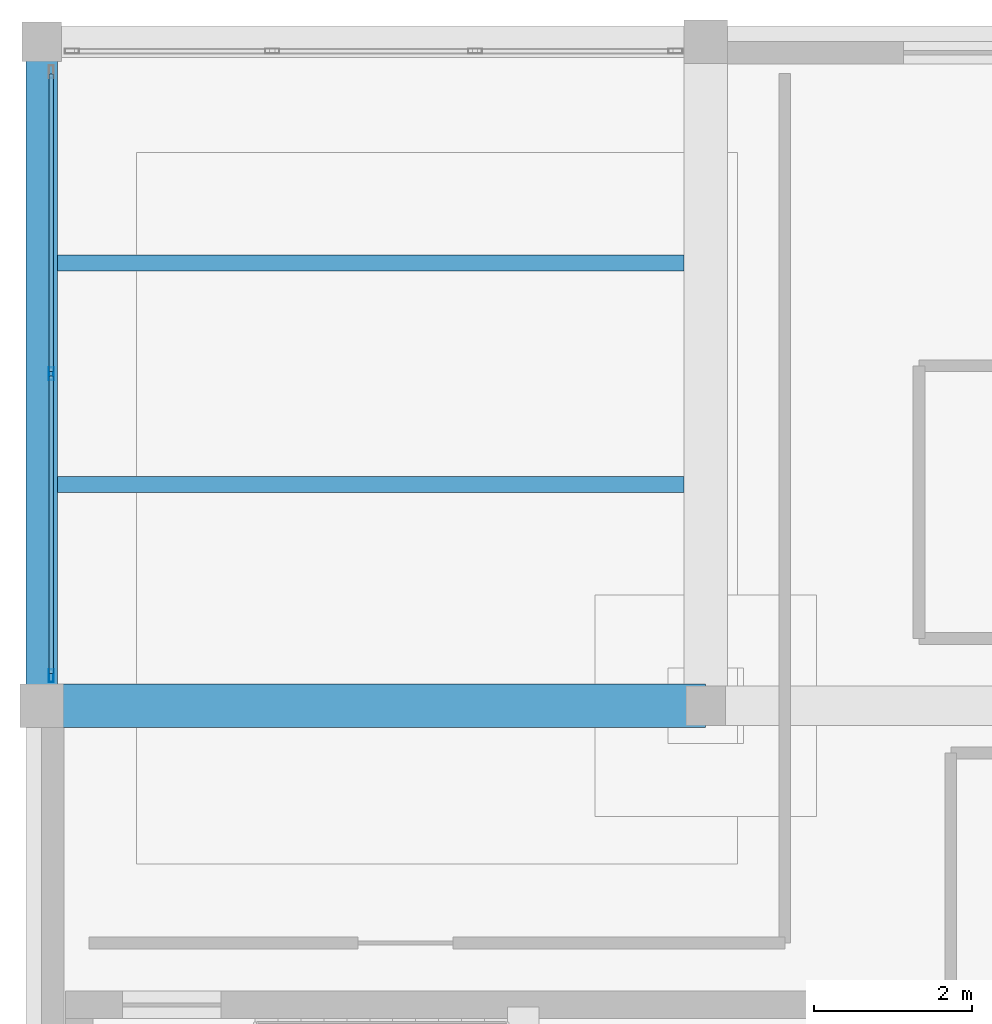
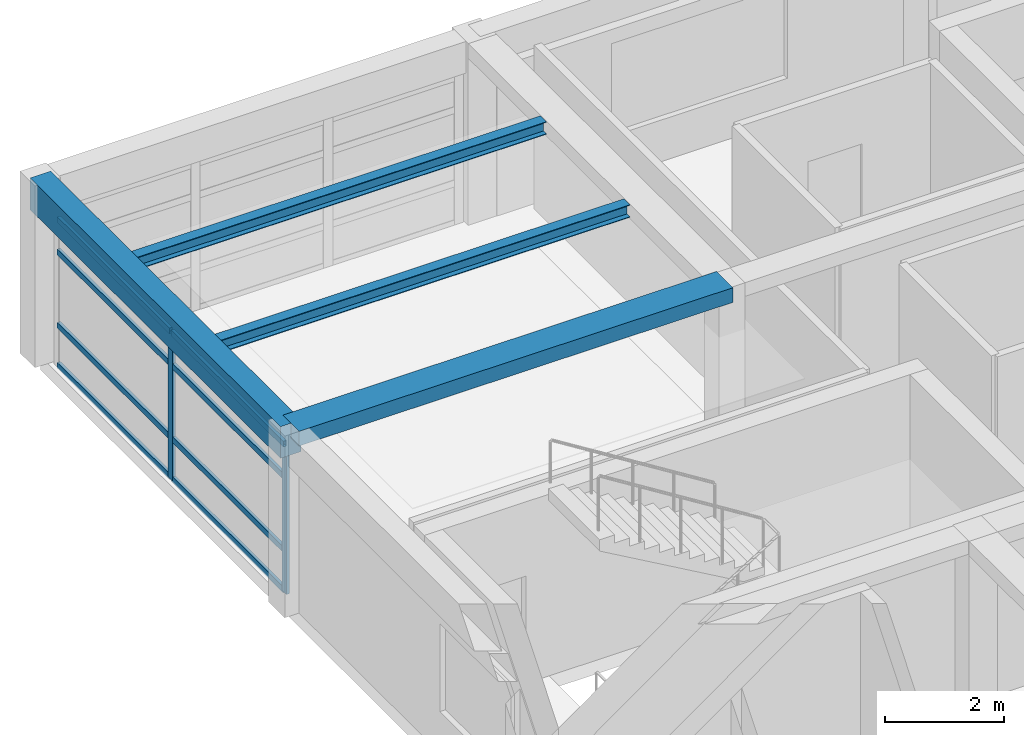
# One storey, part 9 of 20: 10 members, 4 beams, 1 element without a shape of its own.
"""IFC4 building model written with IfcOpenShell, lengths in metres."""

import ifcopenshell
import ifcopenshell.guid

model = None  # the IFC model being written
_history = None  # IfcOwnerHistory: only IFC2X3 demands one
_inside = {}  # id of a spatial element -> (the spatial element, [elements in it])
_under = {}  # id of a project, library or spatial element -> (it, [spatial elements below it])
_declared = {}  # id of a project -> (the project, [libraries it declares])
_typed = {}  # id of a type object -> (the type object, [elements of that type])
_made_of = {}  # id of a material, layer set ... -> (it, [elements and type objects made of it])


def new_model(schema):
    """Start an empty IFC model of exactly this schema.

    Asked for "IFC4X3", IfcOpenShell would pick the latest addendum, in which some entities
    have other attributes; the version numbers below select the first issue.
    IFC2X3 requires an IfcOwnerHistory on every rooted entity: one is made here for all.
    """
    global model, _history
    if schema == "IFC4X3":
        model = ifcopenshell.file(schema_version=(4, 3, 0, 0))
    else:
        model = ifcopenshell.file(schema=schema)
    _inside.clear()
    _under.clear()
    _declared.clear()
    _typed.clear()
    _made_of.clear()
    _history = None
    if model.schema == "IFC2X3":
        org = make("IfcOrganization", Name="unknown")
        user = make(
            "IfcPersonAndOrganization",
            ThePerson=make("IfcPerson", FamilyName="unknown"),
            TheOrganization=org,
        )
        app = make(
            "IfcApplication",
            ApplicationDeveloper=org,
            Version="unknown",
            ApplicationFullName="unknown",
            ApplicationIdentifier="unknown",
        )
        _history = make(
            "IfcOwnerHistory",
            OwningUser=user,
            OwningApplication=app,
            ChangeAction="ADDED",
            CreationDate=0,
        )
    return model


def make(cls, **values):
    """One entity of the class cls with the attributes given. An attribute that is None is left unset."""
    return model.create_entity(
        cls, **{name: value for name, value in values.items() if value is not None}
    )


def rooted(cls, **values):
    """An entity with a GlobalId (a new one), such as an element, a storey or a relation."""
    return make(cls, GlobalId=ifcopenshell.guid.new(), OwnerHistory=_history, **values)


def si_unit(unit_type, name, prefix=None):
    """IfcSIUnit, for example si_unit("LENGTHUNIT", "METRE", prefix="MILLI")."""
    return make("IfcSIUnit", UnitType=unit_type, Prefix=prefix, Name=name)


def assignment(units):
    """IfcUnitAssignment: the units of a project."""
    return None if units is None else make("IfcUnitAssignment", Units=units)


def point(xyz):
    """IfcCartesianPoint."""
    return None if xyz is None else make("IfcCartesianPoint", Coordinates=xyz)


def direction(xyz):
    """IfcDirection."""
    return None if xyz is None else make("IfcDirection", DirectionRatios=xyz)


def frame(location, z_axis=None, x_axis=None):
    """IfcAxis2Placement3D, a coordinate frame: its origin and axes. An axis left out is left unset."""
    return make(
        "IfcAxis2Placement3D",
        Location=point(location),
        Axis=direction(z_axis),
        RefDirection=direction(x_axis),
    )


def frame_2d(location, x_axis=None):
    """IfcAxis2Placement2D, a coordinate frame in the plane: its origin and x axis."""
    return make(
        "IfcAxis2Placement2D", Location=point(location), RefDirection=direction(x_axis)
    )


def origin():
    """The frame at (0, 0, 0) with its axes left unset."""
    return frame((0.0, 0.0, 0.0))


def origin_2d():
    """The frame at (0, 0) in the plane with its x axis left unset."""
    return frame_2d((0.0, 0.0))


def place(relative_to, where):
    """IfcLocalPlacement: puts the frame where relative to a parent placement (None: the world)."""
    return make(
        "IfcLocalPlacement", PlacementRelTo=relative_to, RelativePlacement=where
    )


def context(
    kind, dimensions, precision=None, world=None, true_north=None, identifier=None
):
    """IfcGeometricRepresentationContext, for example the 3D "Model" context."""
    return make(
        "IfcGeometricRepresentationContext",
        ContextIdentifier=identifier,
        ContextType=kind,
        CoordinateSpaceDimension=dimensions,
        Precision=precision,
        WorldCoordinateSystem=world,
        TrueNorth=true_north,
    )


def subcontext(parent, identifier, kind, view, scale=None):
    """IfcGeometricRepresentationSubContext, for example "Body" below "Model"."""
    return make(
        "IfcGeometricRepresentationSubContext",
        ContextIdentifier=identifier,
        ContextType=kind,
        ParentContext=parent,
        TargetScale=scale,
        TargetView=view,
    )


def project(units=None, contexts=None):
    """IfcProject with its units and contexts."""
    return rooted(
        "IfcProject",
        Name="project",
        RepresentationContexts=contexts,
        UnitsInContext=assignment(units),
    )


def spatial(cls, under=None, at=None, **own):
    """A site, building, storey or space (cls), placed at a placement, below another one or the project."""
    s = rooted(cls, ObjectPlacement=at, **own)
    if under is not None:
        _under.setdefault(under.id(), (under, []))[1].append(s)
    return s


def profile(cls, at=None, kind="AREA", **sizes):
    """A parametric profile (cls). Its sizes go by their IFC names, for example OverallWidth=200.0."""
    return make(cls, ProfileType=kind, Position=at, **sizes)


def rectangle(**sizes):
    """IfcRectangleProfileDef."""
    return profile("IfcRectangleProfileDef", **sizes)


def hollow_rectangle(**sizes):
    """IfcRectangleHollowProfileDef."""
    return profile("IfcRectangleHollowProfileDef", **sizes)


def i_section(**sizes):
    """IfcIShapeProfileDef."""
    return profile("IfcIShapeProfileDef", **sizes)


def extrude(swept, where, along, depth):
    """IfcExtrudedAreaSolid: the profile swept, set in the frame where, extruded along a direction by depth."""
    return make(
        "IfcExtrudedAreaSolid",
        SweptArea=swept,
        Position=where,
        ExtrudedDirection=direction(along),
        Depth=depth,
    )


def shape(context_of_items, identifier, shape_type, items):
    """IfcShapeRepresentation: the items that make up one representation, for example the "Body"."""
    return make(
        "IfcShapeRepresentation",
        ContextOfItems=context_of_items,
        RepresentationIdentifier=identifier,
        RepresentationType=shape_type,
        Items=items,
    )


def material(Name=None, Category=None):
    """IfcMaterial."""
    return make("IfcMaterial", Name=Name, Category=Category)


def material_profile(
    of_material, cross_section, Name=None, Category=None, Priority=None
):
    """IfcMaterialProfile: a cross section and its material."""
    return make(
        "IfcMaterialProfile",
        Name=Name,
        Material=of_material,
        Profile=cross_section,
        Priority=Priority,
        Category=Category,
    )


def profile_set(profiles, Name=None, composite=None):
    """IfcMaterialProfileSet."""
    return make(
        "IfcMaterialProfileSet",
        Name=Name,
        MaterialProfiles=profiles,
        CompositeProfile=composite,
    )


def made_of(thing, what):
    """Note that an element or type object is made of a material, layer set ...; save() writes the relation."""
    if what is not None:
        _made_of.setdefault(what.id(), (what, []))[1].append(thing)
    return thing


def type_object(cls, material=None, **own):
    """A type object (cls), such as IfcWallType, which elements share."""
    return made_of(rooted(cls, **own), material)


def element(
    cls,
    number,
    at=None,
    inside=None,
    cuts=None,
    type_object=None,
    material=None,
    context=None,
    identifier="Body",
    shape_type=None,
    held_by="IfcProductDefinitionShape",
    body=None,
    shapes=None,
    **own,
):
    """One element of the class cls, such as IfcWall. Its Tag is "e" and its number.

    at: its placement. inside: the storey or other place that contains it. cuts: it is an
    opening in that element (IfcRelVoidsElement). A single representation is given by context,
    identifier, shape_type and body (its items); several are given by shapes. held_by: the class
    of the entity that holds the representations. save() writes the other relations.
    """
    e = rooted(cls, Tag="e%d" % number, ObjectPlacement=at, **own)
    if body is not None:
        shapes = [shape(context, identifier, shape_type, body)]
    if shapes is not None:
        e.Representation = make(held_by, Representations=shapes)
    if inside is not None:
        _inside.setdefault(inside.id(), (inside, []))[1].append(e)
    if cuts is not None:
        rooted(
            "IfcRelVoidsElement", RelatingBuildingElement=cuts, RelatedOpeningElement=e
        )
    if type_object is not None:
        _typed.setdefault(type_object.id(), (type_object, []))[1].append(e)
    return made_of(e, material)


def aggregate(whole, parts):
    """IfcRelAggregates: a whole, such as a stair, and the parts it consists of."""
    return rooted("IfcRelAggregates", RelatingObject=whole, RelatedObjects=parts)


def save(model, path):
    """Write the relations noted so far, then the file.

    IfcRelAggregates (storeys below a building ...), IfcRelContainedInSpatialStructure (elements
    in a storey), IfcRelDefinesByType, IfcRelAssociatesMaterial and IfcRelDeclares: one each for
    every whole, place, type object, material and project.
    """
    for whole, parts in _under.values():
        aggregate(whole, parts)
    for where, things in _inside.values():
        rooted(
            "IfcRelContainedInSpatialStructure",
            RelatedElements=things,
            RelatingStructure=where,
        )
    for kind, things in _typed.values():
        rooted("IfcRelDefinesByType", RelatedObjects=things, RelatingType=kind)
    for what, things in _made_of.values():
        rooted("IfcRelAssociatesMaterial", RelatedObjects=things, RelatingMaterial=what)
    for by, libraries in _declared.values():
        rooted("IfcRelDeclares", RelatingContext=by, RelatedDefinitions=libraries)
    model.write(path)


model = new_model("IFC4")

# Units and contexts
model_context = context("Model", 3, precision=1e-05, world=origin(), true_north=direction((0.0, 1.0)))
body_context = subcontext(model_context, "Body", "Model", "MODEL_VIEW")
ifc_project = project(units=[si_unit("LENGTHUNIT", "METRE"), si_unit("AREAUNIT", "SQUARE_METRE"), si_unit("VOLUMEUNIT", "CUBIC_METRE"), si_unit("PLANEANGLEUNIT", "RADIAN"), si_unit("MASSUNIT", "GRAM", prefix="KILO")], contexts=[model_context])

# Site, building, storey
site_placement = place(None, origin())
site = spatial("IfcSite", under=ifc_project, at=site_placement, CompositionType="ELEMENT")
building_placement = place(site_placement, origin())
building = spatial("IfcBuilding", under=site, at=building_placement, Name="Almacenes y Pasaje Nevantli", CompositionType="ELEMENT")
storey_placement = place(building_placement, frame((0.0, 0.0, 62.699951171875)))
storey = spatial("IfcBuildingStorey", under=building, at=storey_placement, Name="L15", CompositionType="ELEMENT", Elevation=62.699951171875)

# Beams
ifc_material_1 = material(Name="Concrete C35/45", Category="concrete")
ifc_material_profile_1 = material_profile(ifc_material_1, rectangle(XDim=0.39990234375, YDim=0.64990234375, at=origin_2d()), Name="RC-BM-400x650")
ifc_profile_set_1 = profile_set([ifc_material_profile_1], Name="Concrete C35/45")
beam_type_1 = type_object("IfcBeamType", Name="BM-RC-400x650", PredefinedType="SPANDREL", material=ifc_profile_set_1)
beam_1_placement = place(storey_placement, frame((117.60009765625, 84.0, 3.39501953125), z_axis=(0.0, 1.0, 0.0), x_axis=(-1.0, 0.0, 0.0)))
element("IfcBeam", 1, at=beam_1_placement, inside=storey, type_object=beam_type_1, Name="L15 North-South Reinforced Concrete Beam #4032", PredefinedType="SPANDREL", context=body_context, shape_type="SweptSolid", body=[
    extrude(rectangle(XDim=0.39990234375, YDim=0.64990234375, at=origin_2d()), origin(), (0.0, 0.0, 1.0), 8.39990234375),
])
ifc_material_2 = material(Name="Concrete C35/45", Category="concrete")
ifc_material_profile_2 = material_profile(ifc_material_2, rectangle(XDim=0.550048828125, YDim=0.300048828125, at=origin_2d()), Name="RC-BM-550x300")
ifc_profile_set_2 = profile_set([ifc_material_profile_2], Name="Concrete C35/45")
beam_type_2 = type_object("IfcBeamType", Name="BM-RC-550x300", PredefinedType="BEAM", material=ifc_profile_set_2)
beam_2_placement = place(storey_placement, frame((117.60009765625, 84.0, 3.570068359375), z_axis=(1.0, 0.0, 0.0), x_axis=(0.0, 1.0, 0.0)))
element("IfcBeam", 2, at=beam_2_placement, inside=storey, type_object=beam_type_2, Name="L15 East-West Reinforced Concrete Beam #4022", PredefinedType="BEAM", context=body_context, shape_type="SweptSolid", body=[
    extrude(rectangle(XDim=0.550048828125, YDim=0.300048828125, at=origin_2d()), origin(), (0.0, 0.0, 1.0), 8.39990234375),
])
ifc_material_3 = material(Name="Steel ASTM A992", Category="steel")
ifc_material_profile_3 = material_profile(ifc_material_3, i_section(OverallWidth=0.2041015625, OverallDepth=0.258056640625, WebThickness=0.008056640625, FlangeThickness=0.013427734375, at=origin_2d()), Name="IR 254x58.0")
ifc_profile_set_3 = profile_set([ifc_material_profile_3], Name="Steel ASTM A992")
beam_type_3 = type_object("IfcBeamType", Name="BM-STL-IR-254x58p0", PredefinedType="JOIST", material=ifc_profile_set_3)
for number, where, z_axis, x_axis, name in (
    (3, (117.800048828125, 86.800048828125, 3.5830078125), (1.0, 0.0, 0.0), (0.0, 1.0, 0.0), "L15 Secondary Steel Floor Joist #1603"),
    (4, (117.800048828125, 89.60009765625, 3.5830078125), (1.0, 0.0, 0.0), (0.0, 1.0, 0.0), "L15 Secondary Steel Floor Joist #1604"),
):
    element("IfcBeam", number, at=place(storey_placement, frame(where, z_axis=z_axis, x_axis=x_axis)), inside=storey, type_object=beam_type_3, Name=name, PredefinedType="JOIST", context=body_context, shape_type="SweptSolid", body=[
        extrude(i_section(OverallWidth=0.2041015625, OverallDepth=0.258056640625, WebThickness=0.008056640625, FlangeThickness=0.013427734375, at=origin_2d()), origin(), (0.0, 0.0, 1.0), 7.925048828125),
    ])

# Curtain wall, members
ifc_material_4 = material(Name="Thermally Broken Aluminium and Low-E Glass", Category="aluminium")
curtain_wall_type = type_object("IfcCurtainWallType", Name="CW-UNIT-TOWER", PredefinedType="USERDEFINED", material=ifc_material_4)
curtain_wall_placement = place(storey_placement, origin())
curtain_wall = element("IfcCurtainWall", 5, at=curtain_wall_placement, inside=storey, type_object=curtain_wall_type, Name="L15 Tower West Curtain Wall Bay 11", ObjectType="UNITIZED CURTAIN WALL", PredefinedType="USERDEFINED")
ifc_material_5 = material(Name="Thermally Broken Anodized Aluminium", Category="aluminium")
ifc_material_profile_4 = material_profile(ifc_material_5, hollow_rectangle(XDim=0.06005859375, YDim=0.159912109375, WallThickness=0.00390625, at=origin_2d()), Name="ALU-MUL-60x160")
ifc_profile_set_4 = profile_set([ifc_material_profile_4], Name="Thermally Broken Anodized Aluminium")
member_type_1 = type_object("IfcMemberType", Name="CW-MUL-180", PredefinedType="MULLION", material=ifc_profile_set_4)
member_1_placement = place(storey_placement, frame((117.719970703125, 84.3798828125, 0.0), z_axis=(0.0, 0.0, 1.0), x_axis=(-1.0, 0.0, 0.0)))
member_1 = element("IfcMember", 6, at=member_1_placement, type_object=member_type_1, Name="CW-L15-190 mullion 1", PredefinedType="MULLION", context=body_context, shape_type="SweptSolid", body=[
    extrude(hollow_rectangle(XDim=0.06005859375, YDim=0.159912109375, WallThickness=0.00390625, at=origin_2d()), origin(), (0.0, 0.0, 1.0), 3.0400390625),
])
member_2_placement = place(storey_placement, frame((117.719970703125, 88.199951171875, 0.0), z_axis=(0.0, 0.0, 1.0), x_axis=(-1.0, 0.0, 0.0)))
member_2 = element("IfcMember", 7, at=member_2_placement, type_object=member_type_1, Name="CW-L15-190 mullion 2", PredefinedType="MULLION", context=body_context, shape_type="SweptSolid", body=[
    extrude(hollow_rectangle(XDim=0.06005859375, YDim=0.159912109375, WallThickness=0.00390625, at=origin_2d()), origin(), (0.0, 0.0, 1.0), 3.0400390625),
])
ifc_material_6 = material(Name="Thermally Broken Anodized Aluminium", Category="aluminium")
ifc_material_profile_5 = material_profile(ifc_material_6, hollow_rectangle(XDim=0.06005859375, YDim=0.1201171875, WallThickness=0.00341796875, at=origin_2d()), Name="ALU-TRN-60x120")
ifc_profile_set_5 = profile_set([ifc_material_profile_5], Name="Thermally Broken Anodized Aluminium")
member_type_2 = type_object("IfcMemberType", Name="CW-TRN-130", PredefinedType="USERDEFINED", material=ifc_profile_set_5)
member_3_placement = place(storey_placement, frame((117.719970703125, 84.409912109375, 0.030029296875), z_axis=(0.0, 1.0, 0.0), x_axis=(-1.0, 0.0, 0.0)))
member_3 = element("IfcMember", 8, at=member_3_placement, type_object=member_type_2, Name="CW-L15-190 transom 1.1", ObjectType="TRANSOM", PredefinedType="USERDEFINED", context=body_context, shape_type="SweptSolid", body=[
    extrude(hollow_rectangle(XDim=0.06005859375, YDim=0.1201171875, WallThickness=0.00341796875, at=origin_2d()), origin(), (0.0, 0.0, 1.0), 3.760009765625),
])
member_4_placement = place(storey_placement, frame((117.719970703125, 84.409912109375, 0.85009765625), z_axis=(0.0, 1.0, 0.0), x_axis=(-1.0, 0.0, 0.0)))
member_4 = element("IfcMember", 9, at=member_4_placement, type_object=member_type_2, Name="CW-L15-190 transom 1.2", ObjectType="TRANSOM", PredefinedType="USERDEFINED", context=body_context, shape_type="SweptSolid", body=[
    extrude(hollow_rectangle(XDim=0.06005859375, YDim=0.1201171875, WallThickness=0.00341796875, at=origin_2d()), origin(), (0.0, 0.0, 1.0), 3.760009765625),
])
member_5_placement = place(storey_placement, frame((117.719970703125, 84.409912109375, 2.35009765625), z_axis=(0.0, 1.0, 0.0), x_axis=(-1.0, 0.0, 0.0)))
member_5 = element("IfcMember", 10, at=member_5_placement, type_object=member_type_2, Name="CW-L15-190 transom 1.3", ObjectType="TRANSOM", PredefinedType="USERDEFINED", context=body_context, shape_type="SweptSolid", body=[
    extrude(hollow_rectangle(XDim=0.06005859375, YDim=0.1201171875, WallThickness=0.00341796875, at=origin_2d()), origin(), (0.0, 0.0, 1.0), 3.760009765625),
])
member_6_placement = place(storey_placement, frame((117.719970703125, 84.409912109375, 3.010009765625), z_axis=(0.0, 1.0, 0.0), x_axis=(-1.0, 0.0, 0.0)))
member_6 = element("IfcMember", 11, at=member_6_placement, type_object=member_type_2, Name="CW-L15-190 transom 1.4", ObjectType="TRANSOM", PredefinedType="USERDEFINED", context=body_context, shape_type="SweptSolid", body=[
    extrude(hollow_rectangle(XDim=0.06005859375, YDim=0.1201171875, WallThickness=0.00341796875, at=origin_2d()), origin(), (0.0, 0.0, 1.0), 3.760009765625),
])
member_7_placement = place(storey_placement, frame((117.719970703125, 88.22998046875, 0.030029296875), z_axis=(0.0, 1.0, 0.0), x_axis=(-1.0, 0.0, 0.0)))
member_7 = element("IfcMember", 12, at=member_7_placement, type_object=member_type_2, Name="CW-L15-190 transom 2.1", ObjectType="TRANSOM", PredefinedType="USERDEFINED", context=body_context, shape_type="SweptSolid", body=[
    extrude(hollow_rectangle(XDim=0.06005859375, YDim=0.1201171875, WallThickness=0.00341796875, at=origin_2d()), origin(), (0.0, 0.0, 1.0), 3.760009765625),
])
member_8_placement = place(storey_placement, frame((117.719970703125, 88.22998046875, 0.85009765625), z_axis=(0.0, 1.0, 0.0), x_axis=(-1.0, 0.0, 0.0)))
member_8 = element("IfcMember", 13, at=member_8_placement, type_object=member_type_2, Name="CW-L15-190 transom 2.2", ObjectType="TRANSOM", PredefinedType="USERDEFINED", context=body_context, shape_type="SweptSolid", body=[
    extrude(hollow_rectangle(XDim=0.06005859375, YDim=0.1201171875, WallThickness=0.00341796875, at=origin_2d()), origin(), (0.0, 0.0, 1.0), 3.760009765625),
])
member_9_placement = place(storey_placement, frame((117.719970703125, 88.22998046875, 2.35009765625), z_axis=(0.0, 1.0, 0.0), x_axis=(-1.0, 0.0, 0.0)))
member_9 = element("IfcMember", 14, at=member_9_placement, type_object=member_type_2, Name="CW-L15-190 transom 2.3", ObjectType="TRANSOM", PredefinedType="USERDEFINED", context=body_context, shape_type="SweptSolid", body=[
    extrude(hollow_rectangle(XDim=0.06005859375, YDim=0.1201171875, WallThickness=0.00341796875, at=origin_2d()), origin(), (0.0, 0.0, 1.0), 3.760009765625),
])
member_10_placement = place(storey_placement, frame((117.719970703125, 88.22998046875, 3.010009765625), z_axis=(0.0, 1.0, 0.0), x_axis=(-1.0, 0.0, 0.0)))
member_10 = element("IfcMember", 15, at=member_10_placement, type_object=member_type_2, Name="CW-L15-190 transom 2.4", ObjectType="TRANSOM", PredefinedType="USERDEFINED", context=body_context, shape_type="SweptSolid", body=[
    extrude(hollow_rectangle(XDim=0.06005859375, YDim=0.1201171875, WallThickness=0.00341796875, at=origin_2d()), origin(), (0.0, 0.0, 1.0), 3.760009765625),
])
aggregate(curtain_wall, [member_1, member_2, member_3, member_4, member_5, member_6, member_7, member_8, member_9, member_10])

save(model, "model.ifc")
